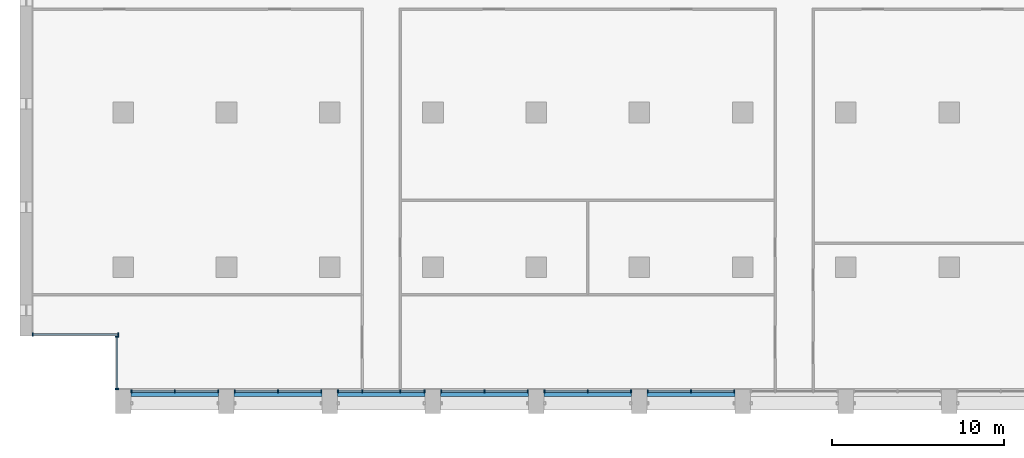
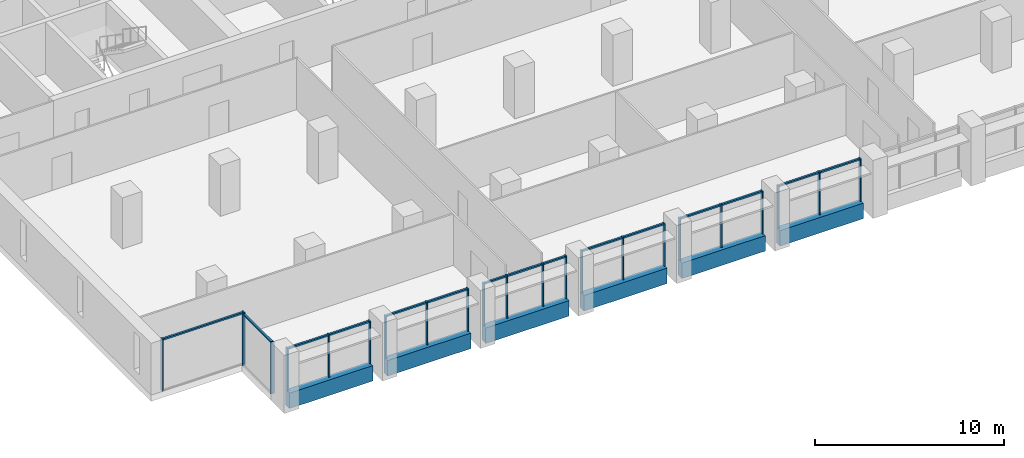
# One storey, part 2 of 15: 38 members, 6 beams, 8 elements without a shape of their own.
"""IFC4 building model written with IfcOpenShell, lengths in metres."""

from ifc_helpers import new_model, si_unit, direction, frame, origin, origin_2d, place, context, subcontext, project, spatial, rectangle, extrude, material, material_profile, profile_set, type_object, element, aggregate, save


model = new_model("IFC4")

# Units and contexts
model_context = context("Model", 3, precision=1e-05, world=origin(), true_north=direction((0.0, 1.0)))
body_context = subcontext(model_context, "Body", "Model", "MODEL_VIEW")
ifc_project = project(units=[si_unit("LENGTHUNIT", "METRE"), si_unit("AREAUNIT", "SQUARE_METRE"), si_unit("VOLUMEUNIT", "CUBIC_METRE"), si_unit("PLANEANGLEUNIT", "RADIAN"), si_unit("MASSUNIT", "GRAM", prefix="KILO")], contexts=[model_context])

# Site, building, storey
site_placement = place(None, origin())
site = spatial("IfcSite", under=ifc_project, at=site_placement, CompositionType="ELEMENT")
building_placement = place(site_placement, origin())
building = spatial("IfcBuilding", under=site, at=building_placement, Name="Calvaro Tower", CompositionType="ELEMENT")
storey_placement = place(building_placement, frame((0.0, 0.0, 147.5)))
storey = spatial("IfcBuildingStorey", under=building, at=storey_placement, Name="L37", CompositionType="ELEMENT", Elevation=147.5)

# Curtain wall, members
ifc_material_1 = material(Name="Anodised aluminium", Category="aluminium")
curtain_wall_type = type_object("IfcCurtainWallType", Name="Office curtain wall, middle zone", PredefinedType="NOTDEFINED", material=ifc_material_1)
curtain_wall_1_placement = place(storey_placement, origin())
curtain_wall_1 = element("IfcCurtainWall", 1, at=curtain_wall_1_placement, inside=storey, type_object=curtain_wall_type, Name="CW2 south curtain wall", PredefinedType="NOTDEFINED")
ifc_material_2 = material(Name="Anodised aluminium", Category="aluminium")
ifc_material_profile_1 = material_profile(ifc_material_2, rectangle(XDim=0.199951171875, YDim=0.070068359375, at=origin_2d()), Name="Mullion S2 70 x 200")
ifc_profile_set_1 = profile_set([ifc_material_profile_1], Name="Anodised aluminium")
member_type_1 = type_object("IfcMemberType", Name="Mullion S2 70 x 200", PredefinedType="MULLION", material=ifc_profile_set_1)
member_1_placement = place(storey_placement, frame((6.485107421875, 2.800048828125, 0.0), z_axis=(0.0, 0.0, 1.0), x_axis=(0.0, 1.0, 0.0)))
member_1 = element("IfcMember", 2, at=member_1_placement, type_object=member_type_1, Name="CW2 mullion 1", PredefinedType="MULLION", context=body_context, shape_type="SweptSolid", body=[
    extrude(rectangle(XDim=0.199951171875, YDim=0.070068359375, at=origin_2d()), origin(), (0.0, 0.0, 1.0), 2.75),
])
member_2_placement = place(storey_placement, frame((9.0, 2.800048828125, 0.0), z_axis=(0.0, 0.0, 1.0), x_axis=(0.0, 1.0, 0.0)))
member_2 = element("IfcMember", 3, at=member_2_placement, type_object=member_type_1, Name="CW2 mullion 2", PredefinedType="MULLION", context=body_context, shape_type="SweptSolid", body=[
    extrude(rectangle(XDim=0.199951171875, YDim=0.070068359375, at=origin_2d()), origin(), (0.0, 0.0, 1.0), 2.75),
])
member_3_placement = place(storey_placement, frame((11.514892578125, 2.800048828125, 0.0), z_axis=(0.0, 0.0, 1.0), x_axis=(0.0, 1.0, 0.0)))
member_3 = element("IfcMember", 4, at=member_3_placement, type_object=member_type_1, Name="CW2 mullion 3", PredefinedType="MULLION", context=body_context, shape_type="SweptSolid", body=[
    extrude(rectangle(XDim=0.199951171875, YDim=0.070068359375, at=origin_2d()), origin(), (0.0, 0.0, 1.0), 2.75),
])

curtain_wall_2_placement = place(storey_placement, origin())
curtain_wall_2 = element("IfcCurtainWall", 5, at=curtain_wall_2_placement, inside=storey, type_object=curtain_wall_type, Name="CW2 south curtain wall", PredefinedType="NOTDEFINED")
member_4_placement = place(storey_placement, frame((12.485107421875, 2.800048828125, 0.0), z_axis=(0.0, 0.0, 1.0), x_axis=(0.0, 1.0, 0.0)))
member_4 = element("IfcMember", 6, at=member_4_placement, type_object=member_type_1, Name="CW2 mullion 1", PredefinedType="MULLION", context=body_context, shape_type="SweptSolid", body=[
    extrude(rectangle(XDim=0.199951171875, YDim=0.070068359375, at=origin_2d()), origin(), (0.0, 0.0, 1.0), 2.75),
])
member_5_placement = place(storey_placement, frame((15.0, 2.800048828125, 0.0), z_axis=(0.0, 0.0, 1.0), x_axis=(0.0, 1.0, 0.0)))
member_5 = element("IfcMember", 7, at=member_5_placement, type_object=member_type_1, Name="CW2 mullion 2", PredefinedType="MULLION", context=body_context, shape_type="SweptSolid", body=[
    extrude(rectangle(XDim=0.199951171875, YDim=0.070068359375, at=origin_2d()), origin(), (0.0, 0.0, 1.0), 2.75),
])
member_6_placement = place(storey_placement, frame((17.514892578125, 2.800048828125, 0.0), z_axis=(0.0, 0.0, 1.0), x_axis=(0.0, 1.0, 0.0)))
member_6 = element("IfcMember", 8, at=member_6_placement, type_object=member_type_1, Name="CW2 mullion 3", PredefinedType="MULLION", context=body_context, shape_type="SweptSolid", body=[
    extrude(rectangle(XDim=0.199951171875, YDim=0.070068359375, at=origin_2d()), origin(), (0.0, 0.0, 1.0), 2.75),
])

curtain_wall_3_placement = place(storey_placement, origin())
curtain_wall_3 = element("IfcCurtainWall", 9, at=curtain_wall_3_placement, inside=storey, type_object=curtain_wall_type, Name="CW2 south curtain wall", PredefinedType="NOTDEFINED")
member_7_placement = place(storey_placement, frame((18.485107421875, 2.800048828125, 0.0), z_axis=(0.0, 0.0, 1.0), x_axis=(0.0, 1.0, 0.0)))
member_7 = element("IfcMember", 10, at=member_7_placement, type_object=member_type_1, Name="CW2 mullion 1", PredefinedType="MULLION", context=body_context, shape_type="SweptSolid", body=[
    extrude(rectangle(XDim=0.199951171875, YDim=0.070068359375, at=origin_2d()), origin(), (0.0, 0.0, 1.0), 2.75),
])
member_8_placement = place(storey_placement, frame((19.89990234375, 2.800048828125, 0.0), z_axis=(0.0, 0.0, 1.0), x_axis=(0.0, 1.0, 0.0)))
member_8 = element("IfcMember", 11, at=member_8_placement, type_object=member_type_1, Name="CW2 mullion 2", PredefinedType="MULLION", context=body_context, shape_type="SweptSolid", body=[
    extrude(rectangle(XDim=0.199951171875, YDim=0.070068359375, at=origin_2d()), origin(), (0.0, 0.0, 1.0), 2.75),
])
member_9_placement = place(storey_placement, frame((22.10009765625, 2.800048828125, 0.0), z_axis=(0.0, 0.0, 1.0), x_axis=(0.0, 1.0, 0.0)))
member_9 = element("IfcMember", 12, at=member_9_placement, type_object=member_type_1, Name="CW2 mullion 3", PredefinedType="MULLION", context=body_context, shape_type="SweptSolid", body=[
    extrude(rectangle(XDim=0.199951171875, YDim=0.070068359375, at=origin_2d()), origin(), (0.0, 0.0, 1.0), 2.75),
])
member_10_placement = place(storey_placement, frame((23.514892578125, 2.800048828125, 0.0), z_axis=(0.0, 0.0, 1.0), x_axis=(0.0, 1.0, 0.0)))
member_10 = element("IfcMember", 13, at=member_10_placement, type_object=member_type_1, Name="CW2 mullion 4", PredefinedType="MULLION", context=body_context, shape_type="SweptSolid", body=[
    extrude(rectangle(XDim=0.199951171875, YDim=0.070068359375, at=origin_2d()), origin(), (0.0, 0.0, 1.0), 2.75),
])

curtain_wall_4_placement = place(storey_placement, origin())
curtain_wall_4 = element("IfcCurtainWall", 14, at=curtain_wall_4_placement, inside=storey, type_object=curtain_wall_type, Name="CW2 south curtain wall", PredefinedType="NOTDEFINED")
member_11_placement = place(storey_placement, frame((24.485107421875, 2.800048828125, 0.0), z_axis=(0.0, 0.0, 1.0), x_axis=(0.0, 1.0, 0.0)))
member_11 = element("IfcMember", 15, at=member_11_placement, type_object=member_type_1, Name="CW2 mullion 1", PredefinedType="MULLION", context=body_context, shape_type="SweptSolid", body=[
    extrude(rectangle(XDim=0.199951171875, YDim=0.070068359375, at=origin_2d()), origin(), (0.0, 0.0, 1.0), 2.75),
])
member_12_placement = place(storey_placement, frame((27.0, 2.800048828125, 0.0), z_axis=(0.0, 0.0, 1.0), x_axis=(0.0, 1.0, 0.0)))
member_12 = element("IfcMember", 16, at=member_12_placement, type_object=member_type_1, Name="CW2 mullion 2", PredefinedType="MULLION", context=body_context, shape_type="SweptSolid", body=[
    extrude(rectangle(XDim=0.199951171875, YDim=0.070068359375, at=origin_2d()), origin(), (0.0, 0.0, 1.0), 2.75),
])
member_13_placement = place(storey_placement, frame((29.514892578125, 2.800048828125, 0.0), z_axis=(0.0, 0.0, 1.0), x_axis=(0.0, 1.0, 0.0)))
member_13 = element("IfcMember", 17, at=member_13_placement, type_object=member_type_1, Name="CW2 mullion 3", PredefinedType="MULLION", context=body_context, shape_type="SweptSolid", body=[
    extrude(rectangle(XDim=0.199951171875, YDim=0.070068359375, at=origin_2d()), origin(), (0.0, 0.0, 1.0), 2.75),
])

curtain_wall_5_placement = place(storey_placement, origin())
curtain_wall_5 = element("IfcCurtainWall", 18, at=curtain_wall_5_placement, inside=storey, type_object=curtain_wall_type, Name="CW2 south curtain wall", PredefinedType="NOTDEFINED")
member_14_placement = place(storey_placement, frame((30.485107421875, 2.800048828125, 0.0), z_axis=(0.0, 0.0, 1.0), x_axis=(0.0, 1.0, 0.0)))
member_14 = element("IfcMember", 19, at=member_14_placement, type_object=member_type_1, Name="CW2 mullion 1", PredefinedType="MULLION", context=body_context, shape_type="SweptSolid", body=[
    extrude(rectangle(XDim=0.199951171875, YDim=0.070068359375, at=origin_2d()), origin(), (0.0, 0.0, 1.0), 2.75),
])
member_15_placement = place(storey_placement, frame((33.0, 2.800048828125, 0.0), z_axis=(0.0, 0.0, 1.0), x_axis=(0.0, 1.0, 0.0)))
member_15 = element("IfcMember", 20, at=member_15_placement, type_object=member_type_1, Name="CW2 mullion 2", PredefinedType="MULLION", context=body_context, shape_type="SweptSolid", body=[
    extrude(rectangle(XDim=0.199951171875, YDim=0.070068359375, at=origin_2d()), origin(), (0.0, 0.0, 1.0), 2.75),
])
member_16_placement = place(storey_placement, frame((35.514892578125, 2.800048828125, 0.0), z_axis=(0.0, 0.0, 1.0), x_axis=(0.0, 1.0, 0.0)))
member_16 = element("IfcMember", 21, at=member_16_placement, type_object=member_type_1, Name="CW2 mullion 3", PredefinedType="MULLION", context=body_context, shape_type="SweptSolid", body=[
    extrude(rectangle(XDim=0.199951171875, YDim=0.070068359375, at=origin_2d()), origin(), (0.0, 0.0, 1.0), 2.75),
])

curtain_wall_6_placement = place(storey_placement, origin())
curtain_wall_6 = element("IfcCurtainWall", 22, at=curtain_wall_6_placement, inside=storey, type_object=curtain_wall_type, Name="CW2 south curtain wall", PredefinedType="NOTDEFINED")
member_17_placement = place(storey_placement, frame((36.485107421875, 2.800048828125, 0.0), z_axis=(0.0, 0.0, 1.0), x_axis=(0.0, 1.0, 0.0)))
member_17 = element("IfcMember", 23, at=member_17_placement, type_object=member_type_1, Name="CW2 mullion 1", PredefinedType="MULLION", context=body_context, shape_type="SweptSolid", body=[
    extrude(rectangle(XDim=0.199951171875, YDim=0.070068359375, at=origin_2d()), origin(), (0.0, 0.0, 1.0), 2.75),
])
member_18_placement = place(storey_placement, frame((39.0, 2.800048828125, 0.0), z_axis=(0.0, 0.0, 1.0), x_axis=(0.0, 1.0, 0.0)))
member_18 = element("IfcMember", 24, at=member_18_placement, type_object=member_type_1, Name="CW2 mullion 2", PredefinedType="MULLION", context=body_context, shape_type="SweptSolid", body=[
    extrude(rectangle(XDim=0.199951171875, YDim=0.070068359375, at=origin_2d()), origin(), (0.0, 0.0, 1.0), 2.75),
])
member_19_placement = place(storey_placement, frame((41.514892578125, 2.800048828125, 0.0), z_axis=(0.0, 0.0, 1.0), x_axis=(0.0, 1.0, 0.0)))
member_19 = element("IfcMember", 25, at=member_19_placement, type_object=member_type_1, Name="CW2 mullion 3", PredefinedType="MULLION", context=body_context, shape_type="SweptSolid", body=[
    extrude(rectangle(XDim=0.199951171875, YDim=0.070068359375, at=origin_2d()), origin(), (0.0, 0.0, 1.0), 2.75),
])

curtain_wall_7_placement = place(storey_placement, origin())
curtain_wall_7 = element("IfcCurtainWall", 26, at=curtain_wall_7_placement, inside=storey, type_object=curtain_wall_type, Name="CW2 corner curtain wall", PredefinedType="NOTDEFINED")
member_20_placement = place(storey_placement, frame((5.64990234375, 2.93505859375, 0.0), z_axis=(0.0, 0.0, 1.0), x_axis=(-1.0, 0.0, 0.0)))
member_20 = element("IfcMember", 27, at=member_20_placement, type_object=member_type_1, Name="CW2 mullion 1", PredefinedType="MULLION", context=body_context, shape_type="SweptSolid", body=[
    extrude(rectangle(XDim=0.199951171875, YDim=0.070068359375, at=origin_2d()), origin(), (0.0, 0.0, 1.0), 3.35009765625),
])
member_21_placement = place(storey_placement, frame((5.64990234375, 5.965087890625, 0.0), z_axis=(0.0, 0.0, 1.0), x_axis=(-1.0, 0.0, 0.0)))
member_21 = element("IfcMember", 28, at=member_21_placement, type_object=member_type_1, Name="CW2 mullion 2", PredefinedType="MULLION", context=body_context, shape_type="SweptSolid", body=[
    extrude(rectangle(XDim=0.199951171875, YDim=0.070068359375, at=origin_2d()), origin(), (0.0, 0.0, 1.0), 3.35009765625),
])

curtain_wall_8_placement = place(storey_placement, origin())
curtain_wall_8 = element("IfcCurtainWall", 29, at=curtain_wall_8_placement, inside=storey, type_object=curtain_wall_type, Name="CW2 corner curtain wall", PredefinedType="NOTDEFINED")
member_22_placement = place(storey_placement, frame((0.735107421875, 6.10009765625, 0.0), z_axis=(0.0, 0.0, 1.0), x_axis=(0.0, 1.0, 0.0)))
member_22 = element("IfcMember", 30, at=member_22_placement, type_object=member_type_1, Name="CW2 mullion 1", PredefinedType="MULLION", context=body_context, shape_type="SweptSolid", body=[
    extrude(rectangle(XDim=0.199951171875, YDim=0.070068359375, at=origin_2d()), origin(), (0.0, 0.0, 1.0), 3.35009765625),
])
member_23_placement = place(storey_placement, frame((5.715087890625, 6.10009765625, 0.0), z_axis=(0.0, 0.0, 1.0), x_axis=(0.0, 1.0, 0.0)))
member_23 = element("IfcMember", 31, at=member_23_placement, type_object=member_type_1, Name="CW2 mullion 2", PredefinedType="MULLION", context=body_context, shape_type="SweptSolid", body=[
    extrude(rectangle(XDim=0.199951171875, YDim=0.070068359375, at=origin_2d()), origin(), (0.0, 0.0, 1.0), 3.35009765625),
])

# Beams
ifc_material_3 = material(Name="Concrete C50/60 precast", Category="concrete")
ifc_material_profile_2 = material_profile(ifc_material_3, rectangle(XDim=0.39990234375, YDim=1.0, at=origin_2d()), Name="RC 400x1000")
ifc_profile_set_2 = profile_set([ifc_material_profile_2], Name="Concrete C50/60 precast")
beam_type = type_object("IfcBeamType", Name="Spandrel beam 400x1000 C50/60", PredefinedType="SPANDREL", material=ifc_profile_set_2)
for number, where, z_axis, x_axis, name in (
    (32, (6.449951171875, 2.699951171875, -0.5), (1.0, 0.0, 0.0), (0.0, 1.0, 0.0), "Spandrel beam"),
    (33, (12.449951171875, 2.699951171875, -0.5), (1.0, 0.0, 0.0), (0.0, 1.0, 0.0), "Spandrel beam"),
    (34, (18.449951171875, 2.699951171875, -0.5), (1.0, 0.0, 0.0), (0.0, 1.0, 0.0), "Spandrel beam"),
    (35, (24.449951171875, 2.699951171875, -0.5), (1.0, 0.0, 0.0), (0.0, 1.0, 0.0), "Spandrel beam"),
    (36, (30.449951171875, 2.699951171875, -0.5), (1.0, 0.0, 0.0), (0.0, 1.0, 0.0), "Spandrel beam"),
    (37, (36.449951171875, 2.699951171875, -0.5), (1.0, 0.0, 0.0), (0.0, 1.0, 0.0), "Spandrel beam"),
):
    element("IfcBeam", number, at=place(storey_placement, frame(where, z_axis=z_axis, x_axis=x_axis)), inside=storey, type_object=beam_type, Name=name, PredefinedType="SPANDREL", context=body_context, shape_type="SweptSolid", body=[
        extrude(rectangle(XDim=0.39990234375, YDim=1.0, at=origin_2d()), origin(), (0.0, 0.0, 1.0), 5.10009765625),
    ])

# Member
ifc_material_4 = material(Name="Anodised aluminium", Category="aluminium")
ifc_material_profile_3 = material_profile(ifc_material_4, rectangle(XDim=0.1201171875, YDim=0.10009765625, at=origin_2d()), Name="Transom S2 100 x 120")
ifc_profile_set_3 = profile_set([ifc_material_profile_3], Name="Anodised aluminium")
member_type_2 = type_object("IfcMemberType", Name="Transom S2 100 x 120", PredefinedType="USERDEFINED", material=ifc_profile_set_3)
member_24_placement = place(storey_placement, frame((6.52001953125, 2.800048828125, 2.699951171875), z_axis=(1.0, 0.0, 0.0), x_axis=(0.0, 1.0, 0.0)))
member_24 = element("IfcMember", 38, at=member_24_placement, type_object=member_type_2, Name="CW2 transom 1.1", ObjectType="TRANSOM", PredefinedType="USERDEFINED", context=body_context, shape_type="SweptSolid", body=[
    extrude(rectangle(XDim=0.1201171875, YDim=0.10009765625, at=origin_2d()), origin(), (0.0, 0.0, 1.0), 2.445068359375),
])

member_25_placement = place(storey_placement, frame((9.034912109375, 2.800048828125, 2.699951171875), z_axis=(1.0, 0.0, 0.0), x_axis=(0.0, 1.0, 0.0)))
member_25 = element("IfcMember", 39, at=member_25_placement, type_object=member_type_2, Name="CW2 transom 2.1", ObjectType="TRANSOM", PredefinedType="USERDEFINED", context=body_context, shape_type="SweptSolid", body=[
    extrude(rectangle(XDim=0.1201171875, YDim=0.10009765625, at=origin_2d()), origin(), (0.0, 0.0, 1.0), 2.445068359375),
])

aggregate(curtain_wall_1, [member_1, member_2, member_3, member_24, member_25])

member_26_placement = place(storey_placement, frame((12.52001953125, 2.800048828125, 2.699951171875), z_axis=(1.0, 0.0, 0.0), x_axis=(0.0, 1.0, 0.0)))
member_26 = element("IfcMember", 40, at=member_26_placement, type_object=member_type_2, Name="CW2 transom 1.1", ObjectType="TRANSOM", PredefinedType="USERDEFINED", context=body_context, shape_type="SweptSolid", body=[
    extrude(rectangle(XDim=0.1201171875, YDim=0.10009765625, at=origin_2d()), origin(), (0.0, 0.0, 1.0), 2.445068359375),
])

member_27_placement = place(storey_placement, frame((15.034912109375, 2.800048828125, 2.699951171875), z_axis=(1.0, 0.0, 0.0), x_axis=(0.0, 1.0, 0.0)))
member_27 = element("IfcMember", 41, at=member_27_placement, type_object=member_type_2, Name="CW2 transom 2.1", ObjectType="TRANSOM", PredefinedType="USERDEFINED", context=body_context, shape_type="SweptSolid", body=[
    extrude(rectangle(XDim=0.1201171875, YDim=0.10009765625, at=origin_2d()), origin(), (0.0, 0.0, 1.0), 2.445068359375),
])

aggregate(curtain_wall_2, [member_4, member_5, member_6, member_26, member_27])

member_28_placement = place(storey_placement, frame((18.52001953125, 2.800048828125, 2.699951171875), z_axis=(1.0, 0.0, 0.0), x_axis=(0.0, 1.0, 0.0)))
member_28 = element("IfcMember", 42, at=member_28_placement, type_object=member_type_2, Name="CW2 transom 1.1", ObjectType="TRANSOM", PredefinedType="USERDEFINED", context=body_context, shape_type="SweptSolid", body=[
    extrude(rectangle(XDim=0.1201171875, YDim=0.10009765625, at=origin_2d()), origin(), (0.0, 0.0, 1.0), 1.344970703125),
])

member_29_placement = place(storey_placement, frame((19.93505859375, 2.800048828125, 2.699951171875), z_axis=(1.0, 0.0, 0.0), x_axis=(0.0, 1.0, 0.0)))
member_29 = element("IfcMember", 43, at=member_29_placement, type_object=member_type_2, Name="CW2 transom 2.1", ObjectType="TRANSOM", PredefinedType="USERDEFINED", context=body_context, shape_type="SweptSolid", body=[
    extrude(rectangle(XDim=0.1201171875, YDim=0.10009765625, at=origin_2d()), origin(), (0.0, 0.0, 1.0), 2.1298828125),
])

member_30_placement = place(storey_placement, frame((22.135009765625, 2.800048828125, 2.699951171875), z_axis=(1.0, 0.0, 0.0), x_axis=(0.0, 1.0, 0.0)))
member_30 = element("IfcMember", 44, at=member_30_placement, type_object=member_type_2, Name="CW2 transom 3.1", ObjectType="TRANSOM", PredefinedType="USERDEFINED", context=body_context, shape_type="SweptSolid", body=[
    extrude(rectangle(XDim=0.1201171875, YDim=0.10009765625, at=origin_2d()), origin(), (0.0, 0.0, 1.0), 1.344970703125),
])

aggregate(curtain_wall_3, [member_7, member_8, member_9, member_10, member_28, member_29, member_30])

member_31_placement = place(storey_placement, frame((24.52001953125, 2.800048828125, 2.699951171875), z_axis=(1.0, 0.0, 0.0), x_axis=(0.0, 1.0, 0.0)))
member_31 = element("IfcMember", 45, at=member_31_placement, type_object=member_type_2, Name="CW2 transom 1.1", ObjectType="TRANSOM", PredefinedType="USERDEFINED", context=body_context, shape_type="SweptSolid", body=[
    extrude(rectangle(XDim=0.1201171875, YDim=0.10009765625, at=origin_2d()), origin(), (0.0, 0.0, 1.0), 2.445068359375),
])

member_32_placement = place(storey_placement, frame((27.034912109375, 2.800048828125, 2.699951171875), z_axis=(1.0, 0.0, 0.0), x_axis=(0.0, 1.0, 0.0)))
member_32 = element("IfcMember", 46, at=member_32_placement, type_object=member_type_2, Name="CW2 transom 2.1", ObjectType="TRANSOM", PredefinedType="USERDEFINED", context=body_context, shape_type="SweptSolid", body=[
    extrude(rectangle(XDim=0.1201171875, YDim=0.10009765625, at=origin_2d()), origin(), (0.0, 0.0, 1.0), 2.445068359375),
])

aggregate(curtain_wall_4, [member_11, member_12, member_13, member_31, member_32])

member_33_placement = place(storey_placement, frame((30.52001953125, 2.800048828125, 2.699951171875), z_axis=(1.0, 0.0, 0.0), x_axis=(0.0, 1.0, 0.0)))
member_33 = element("IfcMember", 47, at=member_33_placement, type_object=member_type_2, Name="CW2 transom 1.1", ObjectType="TRANSOM", PredefinedType="USERDEFINED", context=body_context, shape_type="SweptSolid", body=[
    extrude(rectangle(XDim=0.1201171875, YDim=0.10009765625, at=origin_2d()), origin(), (0.0, 0.0, 1.0), 2.445068359375),
])

member_34_placement = place(storey_placement, frame((33.034912109375, 2.800048828125, 2.699951171875), z_axis=(1.0, 0.0, 0.0), x_axis=(0.0, 1.0, 0.0)))
member_34 = element("IfcMember", 48, at=member_34_placement, type_object=member_type_2, Name="CW2 transom 2.1", ObjectType="TRANSOM", PredefinedType="USERDEFINED", context=body_context, shape_type="SweptSolid", body=[
    extrude(rectangle(XDim=0.1201171875, YDim=0.10009765625, at=origin_2d()), origin(), (0.0, 0.0, 1.0), 2.445068359375),
])

aggregate(curtain_wall_5, [member_14, member_15, member_16, member_33, member_34])

member_35_placement = place(storey_placement, frame((36.52001953125, 2.800048828125, 2.699951171875), z_axis=(1.0, 0.0, 0.0), x_axis=(0.0, 1.0, 0.0)))
member_35 = element("IfcMember", 49, at=member_35_placement, type_object=member_type_2, Name="CW2 transom 1.1", ObjectType="TRANSOM", PredefinedType="USERDEFINED", context=body_context, shape_type="SweptSolid", body=[
    extrude(rectangle(XDim=0.1201171875, YDim=0.10009765625, at=origin_2d()), origin(), (0.0, 0.0, 1.0), 2.445068359375),
])

member_36_placement = place(storey_placement, frame((39.034912109375, 2.800048828125, 2.699951171875), z_axis=(1.0, 0.0, 0.0), x_axis=(0.0, 1.0, 0.0)))
member_36 = element("IfcMember", 50, at=member_36_placement, type_object=member_type_2, Name="CW2 transom 2.1", ObjectType="TRANSOM", PredefinedType="USERDEFINED", context=body_context, shape_type="SweptSolid", body=[
    extrude(rectangle(XDim=0.1201171875, YDim=0.10009765625, at=origin_2d()), origin(), (0.0, 0.0, 1.0), 2.445068359375),
])

aggregate(curtain_wall_6, [member_17, member_18, member_19, member_35, member_36])

member_37_placement = place(storey_placement, frame((5.64990234375, 2.969970703125, 3.300048828125), z_axis=(0.0, 1.0, 0.0), x_axis=(-1.0, 0.0, 0.0)))
member_37 = element("IfcMember", 51, at=member_37_placement, type_object=member_type_2, Name="CW2 transom 1.1", ObjectType="TRANSOM", PredefinedType="USERDEFINED", context=body_context, shape_type="SweptSolid", body=[
    extrude(rectangle(XDim=0.1201171875, YDim=0.10009765625, at=origin_2d()), origin(), (0.0, 0.0, 1.0), 2.9599609375),
])

aggregate(curtain_wall_7, [member_20, member_21, member_37])

member_38_placement = place(storey_placement, frame((0.77001953125, 6.10009765625, 3.300048828125), z_axis=(1.0, 0.0, 0.0), x_axis=(0.0, 1.0, 0.0)))
member_38 = element("IfcMember", 52, at=member_38_placement, type_object=member_type_2, Name="CW2 transom 1.1", ObjectType="TRANSOM", PredefinedType="USERDEFINED", context=body_context, shape_type="SweptSolid", body=[
    extrude(rectangle(XDim=0.1201171875, YDim=0.10009765625, at=origin_2d()), origin(), (0.0, 0.0, 1.0), 4.909912109375),
])

aggregate(curtain_wall_8, [member_22, member_23, member_38])

save(model, "model.ifc")
